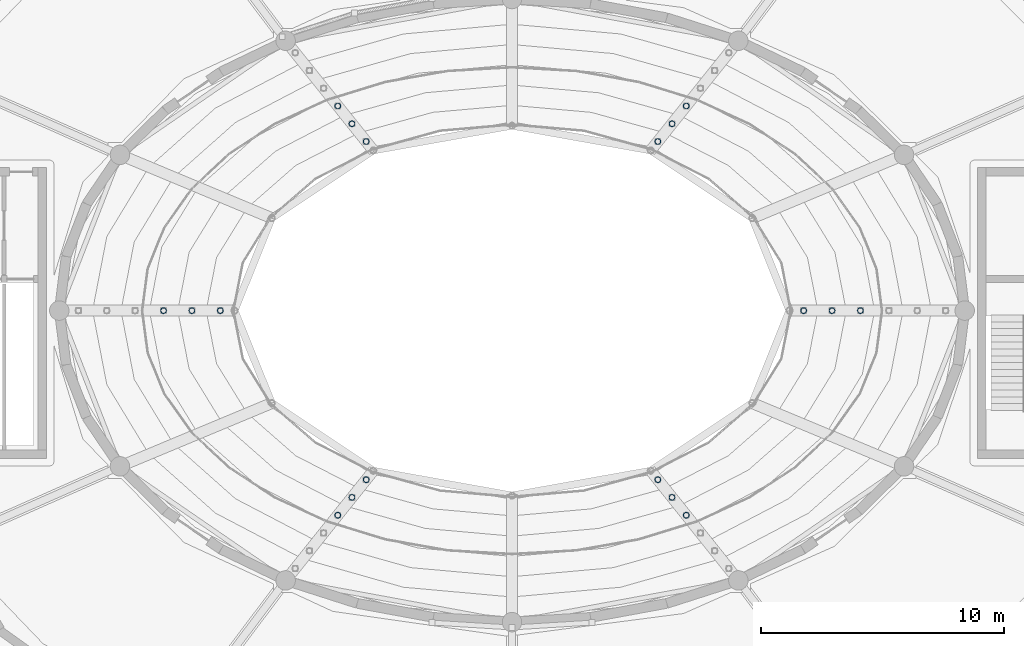
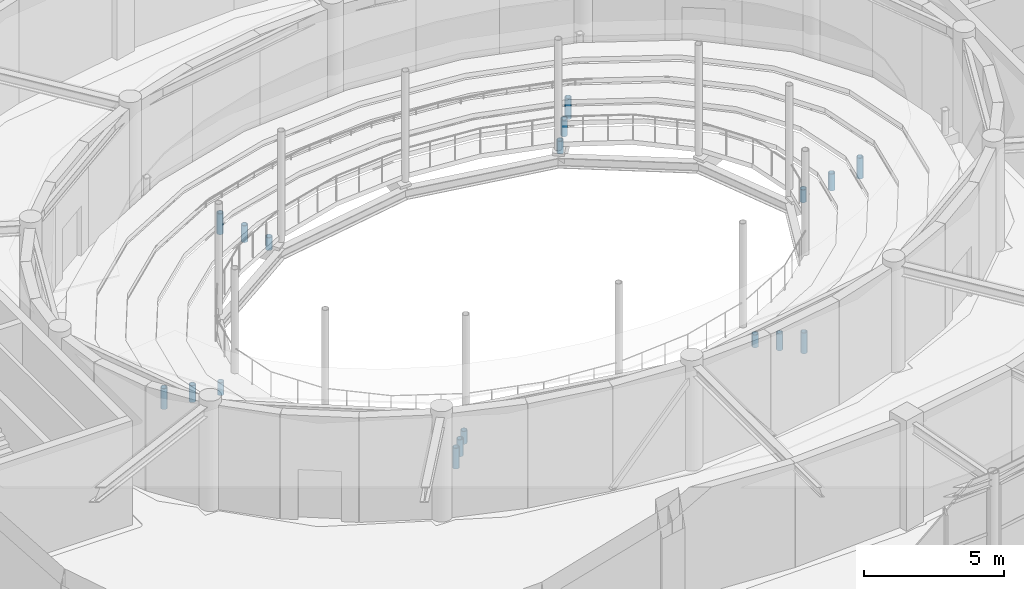
# One storey, part 67 of 100: 18 members.
"""IFC4 building model written with IfcOpenShell, lengths in metres."""

from ifc_helpers import new_model, si_unit, direction, frame, origin, origin_2d, place, context, subcontext, project, spatial, hollow_circle, extrude, material, material_profile, profile_set, type_object, element, save


model = new_model("IFC4")

# Units and contexts
model_context = context("Model", 3, precision=1e-05, world=origin(), true_north=direction((0.0, 1.0)))
body_context = subcontext(model_context, "Body", "Model", "MODEL_VIEW")
ifc_project = project(units=[si_unit("LENGTHUNIT", "METRE"), si_unit("AREAUNIT", "SQUARE_METRE"), si_unit("VOLUMEUNIT", "CUBIC_METRE"), si_unit("PLANEANGLEUNIT", "RADIAN"), si_unit("MASSUNIT", "GRAM", prefix="KILO")], contexts=[model_context])

# Site, building, storey
site_placement = place(None, origin())
site = spatial("IfcSite", under=ifc_project, at=site_placement, CompositionType="ELEMENT")
building_placement = place(site_placement, origin())
building = spatial("IfcBuilding", under=site, at=building_placement, Name="Tarnveldt Headland Concert Hall", CompositionType="ELEMENT")
storey_placement = place(building_placement, frame((0.0, 0.0, 4.800048828125)))
storey = spatial("IfcBuildingStorey", under=building, at=storey_placement, Name="L01", CompositionType="ELEMENT", Elevation=4.800048828125)

# Members
ifc_material = material(Name="Steel S355", Category="steel")
ifc_material_profile = material_profile(ifc_material, hollow_circle(Radius=0.122314453125, WallThickness=0.01611328125, at=origin_2d()), Name="CHS 244.5x16", Category="steel")
ifc_profile_set = profile_set([ifc_material_profile], Name="Steel S355")
member_type = type_object("IfcMemberType", Name="TR-CHORD244", PredefinedType="POST", material=ifc_profile_set)
for number, where, z_axis, x_axis, name in (
    (1, (95.4833984375, 54.5, -0.48193359375), (0.0, 0.0, 1.0), (1.0, 0.0, 0.0), "Vineyard tier raker stool post L01-1-1"),
    (2, (89.49169921875, 61.44677734375, -0.48193359375), (0.0, 0.0, 1.0), (1.0, 0.0, 0.0), "Vineyard tier raker stool post L01-1-3"),
    (3, (77.50830078125, 61.44677734375, -0.48193359375), (0.0, 0.0, 1.0), (1.0, 0.0, 0.0), "Vineyard tier raker stool post L01-1-5"),
    (4, (71.5166015625, 54.5, -0.48193359375), (0.0, 0.0, 1.0), (1.0, 0.0, 0.0), "Vineyard tier raker stool post L01-1-7"),
    (5, (77.50830078125, 47.55322265625, -0.48193359375), (0.0, 0.0, 1.0), (1.0, 0.0, 0.0), "Vineyard tier raker stool post L01-1-9"),
    (6, (89.49169921875, 47.55322265625, -0.48193359375), (0.0, 0.0, 1.0), (1.0, 0.0, 0.0), "Vineyard tier raker stool post L01-1-11"),
):
    element("IfcMember", number, at=place(storey_placement, frame(where, z_axis=z_axis, x_axis=x_axis)), inside=storey, type_object=member_type, Name=name, PredefinedType="POST", context=body_context, shape_type="SweptSolid", body=[
        extrude(hollow_circle(Radius=0.122314453125, WallThickness=0.01611328125, at=origin_2d()), origin(), (0.0, 0.0, 1.0), 0.556884765625),
    ])
for number, where, z_axis, x_axis, name in (
    (7, (96.64990234375, 54.5, -0.375732421875), (0.0, 0.0, 1.0), (1.0, 0.0, 0.0), "Vineyard tier raker stool post L01-2-1"),
    (8, (90.074951171875, 62.176513671875, -0.375732421875), (0.0, 0.0, 1.0), (1.0, 0.0, 0.0), "Vineyard tier raker stool post L01-2-3"),
    (9, (76.925048828125, 62.176513671875, -0.375732421875), (0.0, 0.0, 1.0), (1.0, 0.0, 0.0), "Vineyard tier raker stool post L01-2-5"),
    (10, (70.35009765625, 54.5, -0.375732421875), (0.0, 0.0, 1.0), (1.0, 0.0, 0.0), "Vineyard tier raker stool post L01-2-7"),
    (11, (76.925048828125, 46.823486328125, -0.375732421875), (0.0, 0.0, 1.0), (1.0, 0.0, 0.0), "Vineyard tier raker stool post L01-2-9"),
    (12, (90.074951171875, 46.823486328125, -0.375732421875), (0.0, 0.0, 1.0), (1.0, 0.0, 0.0), "Vineyard tier raker stool post L01-2-11"),
):
    element("IfcMember", number, at=place(storey_placement, frame(where, z_axis=z_axis, x_axis=x_axis)), inside=storey, type_object=member_type, Name=name, PredefinedType="POST", context=body_context, shape_type="SweptSolid", body=[
        extrude(hollow_circle(Radius=0.122314453125, WallThickness=0.01611328125, at=origin_2d()), origin(), (0.0, 0.0, 1.0), 0.730712890625),
    ])
for number, where, z_axis, x_axis, name in (
    (13, (97.816650390625, 54.5, -0.269775390625), (0.0, 0.0, 1.0), (1.0, 0.0, 0.0), "Vineyard tier raker stool post L01-3-1"),
    (14, (90.658203125, 62.906005859375, -0.269775390625), (0.0, 0.0, 1.0), (1.0, 0.0, 0.0), "Vineyard tier raker stool post L01-3-3"),
    (15, (76.341796875, 62.906005859375, -0.269775390625), (0.0, 0.0, 1.0), (1.0, 0.0, 0.0), "Vineyard tier raker stool post L01-3-5"),
    (16, (69.183349609375, 54.5, -0.269775390625), (0.0, 0.0, 1.0), (1.0, 0.0, 0.0), "Vineyard tier raker stool post L01-3-7"),
    (17, (76.341796875, 46.093994140625, -0.269775390625), (0.0, 0.0, 1.0), (1.0, 0.0, 0.0), "Vineyard tier raker stool post L01-3-9"),
    (18, (90.658203125, 46.093994140625, -0.269775390625), (0.0, 0.0, 1.0), (1.0, 0.0, 0.0), "Vineyard tier raker stool post L01-3-11"),
):
    element("IfcMember", number, at=place(storey_placement, frame(where, z_axis=z_axis, x_axis=x_axis)), inside=storey, type_object=member_type, Name=name, PredefinedType="POST", context=body_context, shape_type="SweptSolid", body=[
        extrude(hollow_circle(Radius=0.122314453125, WallThickness=0.01611328125, at=origin_2d()), origin(), (0.0, 0.0, 1.0), 0.90478515625),
    ])

save(model, "model.ifc")
